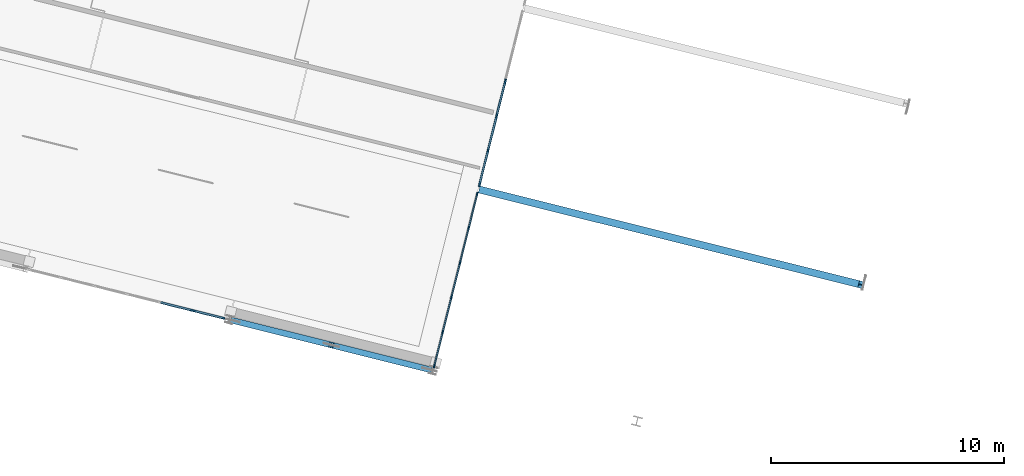
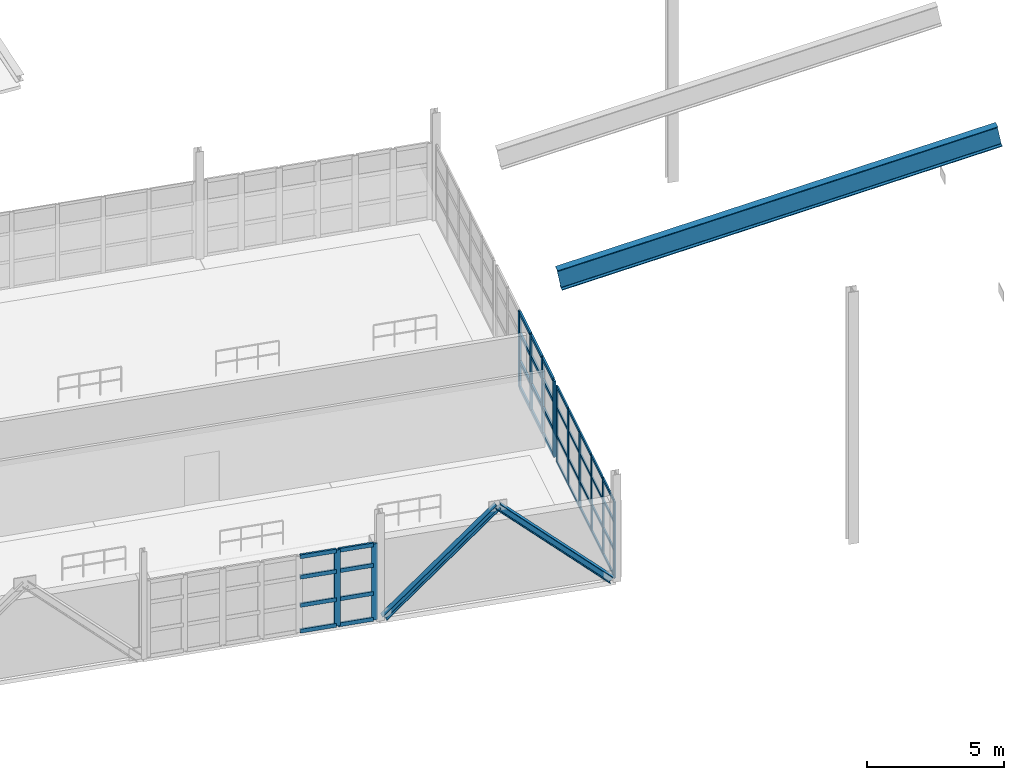
# One storey, part 16 of 59: 54 members, 1 beam, 3 elements without a shape of their own.
"""IFC4 building model written with IfcOpenShell, lengths in metres."""

from ifc_helpers import new_model, si_unit, direction, frame, origin, origin_2d, place, context, subcontext, project, spatial, rectangle, i_section, extrude, material, layer, layer_set, material_profile, profile_set, type_object, element, aggregate, save


model = new_model("IFC4")

# Units and contexts
model_context = context("Model", 3, precision=1e-05, world=origin(), true_north=direction((0.0, 1.0)))
body_context = subcontext(model_context, "Body", "Model", "MODEL_VIEW")
ifc_project = project(units=[si_unit("LENGTHUNIT", "METRE"), si_unit("AREAUNIT", "SQUARE_METRE"), si_unit("VOLUMEUNIT", "CUBIC_METRE"), si_unit("PLANEANGLEUNIT", "RADIAN"), si_unit("MASSUNIT", "GRAM", prefix="KILO")], contexts=[model_context])

# Site, building, storey
site_placement = place(None, origin())
site = spatial("IfcSite", under=ifc_project, at=site_placement, CompositionType="ELEMENT")
building_placement = place(site_placement, origin())
building = spatial("IfcBuilding", under=site, at=building_placement, Name="Vireo Bluff Cable Station", CompositionType="ELEMENT")
storey_placement = place(building_placement, frame((0.0, 0.0, 14.39990234375)))
storey = spatial("IfcBuildingStorey", under=building, at=storey_placement, Name="L03", CompositionType="ELEMENT", Elevation=14.39990234375)

# Members
ifc_material_1 = material(Name="Steel ASTM A992 Gr. 50", Category="steel")
ifc_material_profile_1 = material_profile(ifc_material_1, i_section(OverallWidth=0.2548828125, OverallDepth=0.256103515625, WebThickness=0.009521484375, FlangeThickness=0.015625, FilletRadius=0.009033203125, at=origin_2d()), Name="W10X54")
ifc_profile_set_1 = profile_set([ifc_material_profile_1], Name="Steel ASTM A992 Gr. 50")
member_type_1 = type_object("IfcMemberType", Name="BRC-02", PredefinedType="BRACE", material=ifc_profile_set_1)
member_1_placement = place(storey_placement, frame((97.818603515625, 27.07470703125, 0.0400390625), z_axis=(0.702068522127, -0.175028678406, 0.69026426242), x_axis=(0.241900212683, 0.970301132177, 0.0)))
element("IfcMember", 1, at=member_1_placement, inside=storey, type_object=member_type_1, Name="V1 L03 concentric brace 19L", PredefinedType="BRACE", context=body_context, shape_type="SweptSolid", body=[
    extrude(i_section(OverallWidth=0.2548828125, OverallDepth=0.256103515625, WebThickness=0.009521484375, FlangeThickness=0.015625, FilletRadius=0.009033203125, at=origin_2d()), origin(), (0.0, 0.0, 1.0), 5.997802734375),
])
ifc_material_profile_2 = material_profile(ifc_material_1, i_section(OverallWidth=0.257080078125, OverallDepth=0.263916015625, WebThickness=0.011962890625, FlangeThickness=0.01953125, FilletRadius=0.009033203125, at=origin_2d()), Name="W10X68")
ifc_profile_set_2 = profile_set([ifc_material_profile_2], Name="Steel ASTM A992 Gr. 50")
member_type_2 = type_object("IfcMemberType", Name="BRC-03", PredefinedType="BRACE", material=ifc_profile_set_2)
member_2_placement = place(storey_placement, frame((106.24072265625, 24.974853515625, 0.0400390625), z_axis=(-0.70208416018, 0.175063132526, 0.690239619012), x_axis=(-0.241939969626, -0.970291219736, 0.0)))
element("IfcMember", 2, at=member_2_placement, inside=storey, type_object=member_type_2, Name="V1 L03 concentric brace 20R", PredefinedType="BRACE", context=body_context, shape_type="SweptSolid", body=[
    extrude(i_section(OverallWidth=0.257080078125, OverallDepth=0.263916015625, WebThickness=0.011962890625, FlangeThickness=0.01953125, FilletRadius=0.009033203125, at=origin_2d()), origin(), (0.0, 0.0, 1.0), 5.998046875),
])

# Curtain wall, members
ifc_material_2 = material(Name="Anodized Aluminium 6063-T6", Category="aluminium")
ifc_layer_1 = layer(ifc_material_2, 0.179931640625, Name="Anodized Aluminium 6063-T6")
ifc_layer_set_1 = layer_set([ifc_layer_1], Name="Anodized Aluminium 6063-T6")
curtain_wall_type_1 = type_object("IfcCurtainWallType", Name="CW-UNIT-1650", PredefinedType="USERDEFINED", material=ifc_layer_set_1)
curtain_wall_1_placement = place(storey_placement, origin())
curtain_wall_1 = element("IfcCurtainWall", 3, at=curtain_wall_1_placement, inside=storey, type_object=curtain_wall_type_1, Name="V1 L03 east curtain wall CW-029", ObjectType="UNITISED CURTAIN WALL", PredefinedType="USERDEFINED")
ifc_material_profile_3 = material_profile(ifc_material_2, rectangle(XDim=0.074951171875, YDim=0.2099609375, at=origin_2d()), Name="ALU-M-75X210")
ifc_profile_set_3 = profile_set([ifc_material_profile_3], Name="Anodized Aluminium 6063-T6")
member_type_3 = type_object("IfcMemberType", Name="CWM-02", PredefinedType="MULLION", material=ifc_profile_set_3)
member_3_placement = place(storey_placement, frame((109.483642578125, 37.32080078125, 0.0), z_axis=(0.0, 0.0, 1.0), x_axis=(0.970295712549, -0.241921950655, 0.0)))
member_3 = element("IfcMember", 4, at=member_3_placement, type_object=member_type_3, Name="CW-029 mullion 3", PredefinedType="MULLION", context=body_context, shape_type="SweptSolid", body=[
    extrude(rectangle(XDim=0.074951171875, YDim=0.2099609375, at=origin_2d()), origin(), (0.0, 0.0, 1.0), 3.400146484375),
])
member_4_placement = place(storey_placement, frame((109.1142578125, 35.8388671875, 0.0), z_axis=(0.0, 0.0, 1.0), x_axis=(0.970295712549, -0.241921950655, 0.0)))
member_4 = element("IfcMember", 5, at=member_4_placement, type_object=member_type_3, Name="CW-029 mullion 4", PredefinedType="MULLION", context=body_context, shape_type="SweptSolid", body=[
    extrude(rectangle(XDim=0.074951171875, YDim=0.2099609375, at=origin_2d()), origin(), (0.0, 0.0, 1.0), 3.400146484375),
])
member_5_placement = place(storey_placement, frame((108.744873046875, 34.35693359375, 0.0), z_axis=(0.0, 0.0, 1.0), x_axis=(0.970295712549, -0.241921950655, 0.0)))
member_5 = element("IfcMember", 6, at=member_5_placement, type_object=member_type_3, Name="CW-029 mullion 5", PredefinedType="MULLION", context=body_context, shape_type="SweptSolid", body=[
    extrude(rectangle(XDim=0.074951171875, YDim=0.2099609375, at=origin_2d()), origin(), (0.0, 0.0, 1.0), 3.400146484375),
])
member_6_placement = place(storey_placement, frame((108.384521484375, 32.91162109375, 0.0), z_axis=(0.0, 0.0, 1.0), x_axis=(0.970295712549, -0.241921950655, 0.0)))
member_6 = element("IfcMember", 7, at=member_6_placement, type_object=member_type_3, Name="CW-029 mullion 6", PredefinedType="MULLION", context=body_context, shape_type="SweptSolid", body=[
    extrude(rectangle(XDim=0.074951171875, YDim=0.2099609375, at=origin_2d()), origin(), (0.0, 0.0, 1.0), 3.400146484375),
])

ifc_layer_2 = layer(ifc_material_2, 0.179931640625, Name="Anodized Aluminium 6063-T6")
ifc_layer_set_2 = layer_set([ifc_layer_2], Name="Anodized Aluminium 6063-T6")
curtain_wall_type_2 = type_object("IfcCurtainWallType", Name="CW-UNIT-1400", PredefinedType="USERDEFINED", material=ifc_layer_set_2)
curtain_wall_2_placement = place(storey_placement, origin())
curtain_wall_2 = element("IfcCurtainWall", 8, at=curtain_wall_2_placement, inside=storey, type_object=curtain_wall_type_2, Name="V1 L03 east curtain wall CW-030", ObjectType="UNITISED CURTAIN WALL", PredefinedType="USERDEFINED")
ifc_material_profile_4 = material_profile(ifc_material_2, rectangle(XDim=0.06005859375, YDim=0.159912109375, at=origin_2d()), Name="ALU-M-60X160")
ifc_profile_set_4 = profile_set([ifc_material_profile_4], Name="Anodized Aluminium 6063-T6")
member_type_4 = type_object("IfcMemberType", Name="CWM-03", PredefinedType="MULLION", material=ifc_profile_set_4)
member_7_placement = place(storey_placement, frame((108.280029296875, 32.492919921875, 0.0), z_axis=(0.0, 0.0, 1.0), x_axis=(0.97029572267, -0.241921910062, 0.0)))
member_7 = element("IfcMember", 9, at=member_7_placement, type_object=member_type_4, Name="CW-030 mullion 1", PredefinedType="MULLION", context=body_context, shape_type="SweptSolid", body=[
    extrude(rectangle(XDim=0.06005859375, YDim=0.159912109375, at=origin_2d()), origin(), (0.0, 0.0, 1.0), 3.400146484375),
])
member_8_placement = place(storey_placement, frame((107.916748046875, 31.035888671875, 0.0), z_axis=(0.0, 0.0, 1.0), x_axis=(0.97029572267, -0.241921910062, 0.0)))
member_8 = element("IfcMember", 10, at=member_8_placement, type_object=member_type_4, Name="CW-030 mullion 2", PredefinedType="MULLION", context=body_context, shape_type="SweptSolid", body=[
    extrude(rectangle(XDim=0.06005859375, YDim=0.159912109375, at=origin_2d()), origin(), (0.0, 0.0, 1.0), 3.400146484375),
])
member_9_placement = place(storey_placement, frame((107.546142578125, 29.549560546875, 0.0), z_axis=(0.0, 0.0, 1.0), x_axis=(0.97029572267, -0.241921910062, 0.0)))
member_9 = element("IfcMember", 11, at=member_9_placement, type_object=member_type_4, Name="CW-030 mullion 3", PredefinedType="MULLION", context=body_context, shape_type="SweptSolid", body=[
    extrude(rectangle(XDim=0.06005859375, YDim=0.159912109375, at=origin_2d()), origin(), (0.0, 0.0, 1.0), 3.400146484375),
])
member_10_placement = place(storey_placement, frame((107.17578125, 28.0634765625, 0.0), z_axis=(0.0, 0.0, 1.0), x_axis=(0.97029572267, -0.241921910062, 0.0)))
member_10 = element("IfcMember", 12, at=member_10_placement, type_object=member_type_4, Name="CW-030 mullion 4", PredefinedType="MULLION", context=body_context, shape_type="SweptSolid", body=[
    extrude(rectangle(XDim=0.06005859375, YDim=0.159912109375, at=origin_2d()), origin(), (0.0, 0.0, 1.0), 3.400146484375),
])
member_11_placement = place(storey_placement, frame((106.80517578125, 26.5771484375, 0.0), z_axis=(0.0, 0.0, 1.0), x_axis=(0.97029572267, -0.241921910062, 0.0)))
member_11 = element("IfcMember", 13, at=member_11_placement, type_object=member_type_4, Name="CW-030 mullion 5", PredefinedType="MULLION", context=body_context, shape_type="SweptSolid", body=[
    extrude(rectangle(XDim=0.06005859375, YDim=0.159912109375, at=origin_2d()), origin(), (0.0, 0.0, 1.0), 3.400146484375),
])
member_12_placement = place(storey_placement, frame((106.44189453125, 25.1201171875, 0.0), z_axis=(0.0, 0.0, 1.0), x_axis=(0.97029572267, -0.241921910062, 0.0)))
member_12 = element("IfcMember", 14, at=member_12_placement, type_object=member_type_4, Name="CW-030 mullion 6", PredefinedType="MULLION", context=body_context, shape_type="SweptSolid", body=[
    extrude(rectangle(XDim=0.06005859375, YDim=0.159912109375, at=origin_2d()), origin(), (0.0, 0.0, 1.0), 3.400146484375),
])

ifc_layer_3 = layer(ifc_material_2, 0.179931640625, Name="Anodized Aluminium 6063-T6")
ifc_layer_set_3 = layer_set([ifc_layer_3], Name="Anodized Aluminium 6063-T6")
curtain_wall_type_3 = type_object("IfcCurtainWallType", Name="CW-UNIT-1500", PredefinedType="USERDEFINED", material=ifc_layer_set_3)
curtain_wall_3_placement = place(storey_placement, origin())
curtain_wall_3 = element("IfcCurtainWall", 15, at=curtain_wall_3_placement, inside=storey, type_object=curtain_wall_type_3, Name="V1 L03 south curtain wall CW-019", ObjectType="UNITISED CURTAIN WALL", PredefinedType="USERDEFINED")
ifc_material_profile_5 = material_profile(ifc_material_2, rectangle(XDim=0.080078125, YDim=0.239990234375, at=origin_2d()), Name="ALU-M-80X240")
ifc_profile_set_5 = profile_set([ifc_material_profile_5], Name="Anodized Aluminium 6063-T6")
member_type_5 = type_object("IfcMemberType", Name="CWM-04", PredefinedType="MULLION", material=ifc_profile_set_5)
member_13_placement = place(storey_placement, frame((97.4736328125, 27.160888671875, 0.0), z_axis=(0.0, 0.0, 1.0), x_axis=(-0.241921854719, -0.970295736469, 0.0)))
member_13 = element("IfcMember", 16, at=member_13_placement, type_object=member_type_5, Name="CW-019 mullion 1", PredefinedType="MULLION", context=body_context, shape_type="SweptSolid", body=[
    extrude(rectangle(XDim=0.080078125, YDim=0.239990234375, at=origin_2d()), origin(), (0.0, 0.0, 1.0), 3.400146484375),
])
member_14_placement = place(storey_placement, frame((96.098876953125, 27.503662109375, 0.0), z_axis=(0.0, 0.0, 1.0), x_axis=(-0.241921854719, -0.970295736469, 0.0)))
member_14 = element("IfcMember", 17, at=member_14_placement, type_object=member_type_5, Name="CW-019 mullion 2", PredefinedType="MULLION", context=body_context, shape_type="SweptSolid", body=[
    extrude(rectangle(XDim=0.080078125, YDim=0.239990234375, at=origin_2d()), origin(), (0.0, 0.0, 1.0), 3.400146484375),
])

# Member
ifc_material_profile_6 = material_profile(ifc_material_2, rectangle(XDim=0.074951171875, YDim=0.159912109375, at=origin_2d()), Name="ALU-T-75X160")
ifc_profile_set_6 = profile_set([ifc_material_profile_6], Name="Anodized Aluminium 6063-T6")
member_type_6 = type_object("IfcMemberType", Name="CWT-02", PredefinedType="USERDEFINED", material=ifc_profile_set_6)
member_15_placement = place(storey_placement, frame((109.474609375, 37.2841796875, 0.03759765625), z_axis=(-0.241942172057, -0.970290670562, 0.0), x_axis=(0.970290670562, -0.241942172057, 0.0)))
member_15 = element("IfcMember", 18, at=member_15_placement, type_object=member_type_6, Name="CW-029 transom 3.1", ObjectType="TRANSOM", PredefinedType="USERDEFINED", context=body_context, shape_type="SweptSolid", body=[
    extrude(rectangle(XDim=0.074951171875, YDim=0.159912109375, at=origin_2d()), origin(), (0.0, 0.0, 1.0), 1.4521484375),
])

member_16_placement = place(storey_placement, frame((109.474609375, 37.2841796875, 1.190185546875), z_axis=(-0.241942172057, -0.970290670562, 0.0), x_axis=(0.970290670562, -0.241942172057, 0.0)))
member_16 = element("IfcMember", 19, at=member_16_placement, type_object=member_type_6, Name="CW-029 transom 3.2", ObjectType="TRANSOM", PredefinedType="USERDEFINED", context=body_context, shape_type="SweptSolid", body=[
    extrude(rectangle(XDim=0.074951171875, YDim=0.159912109375, at=origin_2d()), origin(), (0.0, 0.0, 1.0), 1.4521484375),
])

member_17_placement = place(storey_placement, frame((109.474609375, 37.2841796875, 2.447998046875), z_axis=(-0.241942172057, -0.970290670562, 0.0), x_axis=(0.970290670562, -0.241942172057, 0.0)))
member_17 = element("IfcMember", 20, at=member_17_placement, type_object=member_type_6, Name="CW-029 transom 3.3", ObjectType="TRANSOM", PredefinedType="USERDEFINED", context=body_context, shape_type="SweptSolid", body=[
    extrude(rectangle(XDim=0.074951171875, YDim=0.159912109375, at=origin_2d()), origin(), (0.0, 0.0, 1.0), 1.4521484375),
])

member_18_placement = place(storey_placement, frame((109.474609375, 37.2841796875, 3.362548828125), z_axis=(-0.241942172057, -0.970290670562, 0.0), x_axis=(0.970290670562, -0.241942172057, 0.0)))
member_18 = element("IfcMember", 21, at=member_18_placement, type_object=member_type_6, Name="CW-029 transom 3.4", ObjectType="TRANSOM", PredefinedType="USERDEFINED", context=body_context, shape_type="SweptSolid", body=[
    extrude(rectangle(XDim=0.074951171875, YDim=0.159912109375, at=origin_2d()), origin(), (0.0, 0.0, 1.0), 1.4521484375),
])

member_19_placement = place(storey_placement, frame((109.105224609375, 35.802490234375, 0.03759765625), z_axis=(-0.241902708559, -0.970300509941, 0.0), x_axis=(0.970300509941, -0.241902708559, 0.0)))
member_19 = element("IfcMember", 22, at=member_19_placement, type_object=member_type_6, Name="CW-029 transom 4.1", ObjectType="TRANSOM", PredefinedType="USERDEFINED", context=body_context, shape_type="SweptSolid", body=[
    extrude(rectangle(XDim=0.074951171875, YDim=0.159912109375, at=origin_2d()), origin(), (0.0, 0.0, 1.0), 1.452392578125),
])

member_20_placement = place(storey_placement, frame((109.105224609375, 35.802490234375, 1.190185546875), z_axis=(-0.241902708559, -0.970300509941, 0.0), x_axis=(0.970300509941, -0.241902708559, 0.0)))
member_20 = element("IfcMember", 23, at=member_20_placement, type_object=member_type_6, Name="CW-029 transom 4.2", ObjectType="TRANSOM", PredefinedType="USERDEFINED", context=body_context, shape_type="SweptSolid", body=[
    extrude(rectangle(XDim=0.074951171875, YDim=0.159912109375, at=origin_2d()), origin(), (0.0, 0.0, 1.0), 1.452392578125),
])

member_21_placement = place(storey_placement, frame((109.105224609375, 35.802490234375, 2.447998046875), z_axis=(-0.241902708559, -0.970300509941, 0.0), x_axis=(0.970300509941, -0.241902708559, 0.0)))
member_21 = element("IfcMember", 24, at=member_21_placement, type_object=member_type_6, Name="CW-029 transom 4.3", ObjectType="TRANSOM", PredefinedType="USERDEFINED", context=body_context, shape_type="SweptSolid", body=[
    extrude(rectangle(XDim=0.074951171875, YDim=0.159912109375, at=origin_2d()), origin(), (0.0, 0.0, 1.0), 1.452392578125),
])

member_22_placement = place(storey_placement, frame((109.105224609375, 35.802490234375, 3.362548828125), z_axis=(-0.241902708559, -0.970300509941, 0.0), x_axis=(0.970300509941, -0.241902708559, 0.0)))
member_22 = element("IfcMember", 25, at=member_22_placement, type_object=member_type_6, Name="CW-029 transom 4.4", ObjectType="TRANSOM", PredefinedType="USERDEFINED", context=body_context, shape_type="SweptSolid", body=[
    extrude(rectangle(XDim=0.074951171875, YDim=0.159912109375, at=origin_2d()), origin(), (0.0, 0.0, 1.0), 1.452392578125),
])

member_23_placement = place(storey_placement, frame((108.73583984375, 34.320556640625, 0.03759765625), z_axis=(-0.241967061303, -0.970284464085, 0.0), x_axis=(0.970284464085, -0.241967061303, 0.0)))
member_23 = element("IfcMember", 26, at=member_23_placement, type_object=member_type_6, Name="CW-029 transom 5.1", ObjectType="TRANSOM", PredefinedType="USERDEFINED", context=body_context, shape_type="SweptSolid", body=[
    extrude(rectangle(XDim=0.074951171875, YDim=0.159912109375, at=origin_2d()), origin(), (0.0, 0.0, 1.0), 1.41455078125),
])

member_24_placement = place(storey_placement, frame((108.73583984375, 34.320556640625, 1.190185546875), z_axis=(-0.241967061303, -0.970284464085, 0.0), x_axis=(0.970284464085, -0.241967061303, 0.0)))
member_24 = element("IfcMember", 27, at=member_24_placement, type_object=member_type_6, Name="CW-029 transom 5.2", ObjectType="TRANSOM", PredefinedType="USERDEFINED", context=body_context, shape_type="SweptSolid", body=[
    extrude(rectangle(XDim=0.074951171875, YDim=0.159912109375, at=origin_2d()), origin(), (0.0, 0.0, 1.0), 1.41455078125),
])

member_25_placement = place(storey_placement, frame((108.73583984375, 34.320556640625, 2.447998046875), z_axis=(-0.241967061303, -0.970284464085, 0.0), x_axis=(0.970284464085, -0.241967061303, 0.0)))
member_25 = element("IfcMember", 28, at=member_25_placement, type_object=member_type_6, Name="CW-029 transom 5.3", ObjectType="TRANSOM", PredefinedType="USERDEFINED", context=body_context, shape_type="SweptSolid", body=[
    extrude(rectangle(XDim=0.074951171875, YDim=0.159912109375, at=origin_2d()), origin(), (0.0, 0.0, 1.0), 1.41455078125),
])

member_26_placement = place(storey_placement, frame((108.73583984375, 34.320556640625, 3.362548828125), z_axis=(-0.241967061303, -0.970284464085, 0.0), x_axis=(0.970284464085, -0.241967061303, 0.0)))
member_26 = element("IfcMember", 29, at=member_26_placement, type_object=member_type_6, Name="CW-029 transom 5.4", ObjectType="TRANSOM", PredefinedType="USERDEFINED", context=body_context, shape_type="SweptSolid", body=[
    extrude(rectangle(XDim=0.074951171875, YDim=0.159912109375, at=origin_2d()), origin(), (0.0, 0.0, 1.0), 1.41455078125),
])

aggregate(curtain_wall_1, [member_3, member_4, member_5, member_6, member_15, member_16, member_17, member_18, member_19, member_20, member_21, member_22, member_23, member_24, member_25, member_26])

ifc_material_profile_7 = material_profile(ifc_material_2, rectangle(XDim=0.06005859375, YDim=0.1201171875, at=origin_2d()), Name="ALU-T-60X120")
ifc_profile_set_7 = profile_set([ifc_material_profile_7], Name="Anodized Aluminium 6063-T6")
member_type_7 = type_object("IfcMemberType", Name="CWT-03", PredefinedType="USERDEFINED", material=ifc_profile_set_7)
member_27_placement = place(storey_placement, frame((108.272705078125, 32.4638671875, 0.030029296875), z_axis=(-0.241818351587, -0.97032153683, 0.0), x_axis=(0.97032153683, -0.241818351587, 0.0)))
member_27 = element("IfcMember", 30, at=member_27_placement, type_object=member_type_7, Name="CW-030 transom 1.1", ObjectType="TRANSOM", PredefinedType="USERDEFINED", context=body_context, shape_type="SweptSolid", body=[
    extrude(rectangle(XDim=0.06005859375, YDim=0.1201171875, at=origin_2d()), origin(), (0.0, 0.0, 1.0), 1.441650390625),
])

member_28_placement = place(storey_placement, frame((108.272705078125, 32.4638671875, 1.190185546875), z_axis=(-0.241818351587, -0.97032153683, 0.0), x_axis=(0.97032153683, -0.241818351587, 0.0)))
member_28 = element("IfcMember", 31, at=member_28_placement, type_object=member_type_7, Name="CW-030 transom 1.2", ObjectType="TRANSOM", PredefinedType="USERDEFINED", context=body_context, shape_type="SweptSolid", body=[
    extrude(rectangle(XDim=0.06005859375, YDim=0.1201171875, at=origin_2d()), origin(), (0.0, 0.0, 1.0), 1.441650390625),
])

member_29_placement = place(storey_placement, frame((108.272705078125, 32.4638671875, 2.447998046875), z_axis=(-0.241818351587, -0.97032153683, 0.0), x_axis=(0.97032153683, -0.241818351587, 0.0)))
member_29 = element("IfcMember", 32, at=member_29_placement, type_object=member_type_7, Name="CW-030 transom 1.3", ObjectType="TRANSOM", PredefinedType="USERDEFINED", context=body_context, shape_type="SweptSolid", body=[
    extrude(rectangle(XDim=0.06005859375, YDim=0.1201171875, at=origin_2d()), origin(), (0.0, 0.0, 1.0), 1.441650390625),
])

member_30_placement = place(storey_placement, frame((108.272705078125, 32.4638671875, 3.3701171875), z_axis=(-0.241818351587, -0.97032153683, 0.0), x_axis=(0.97032153683, -0.241818351587, 0.0)))
member_30 = element("IfcMember", 33, at=member_30_placement, type_object=member_type_7, Name="CW-030 transom 1.4", ObjectType="TRANSOM", PredefinedType="USERDEFINED", context=body_context, shape_type="SweptSolid", body=[
    extrude(rectangle(XDim=0.06005859375, YDim=0.1201171875, at=origin_2d()), origin(), (0.0, 0.0, 1.0), 1.441650390625),
])

member_31_placement = place(storey_placement, frame((107.909423828125, 31.006591796875, 0.030029296875), z_axis=(-0.241871996295, -0.970308166207, 0.0), x_axis=(0.970308166207, -0.241871996295, 0.0)))
member_31 = element("IfcMember", 34, at=member_31_placement, type_object=member_type_7, Name="CW-030 transom 2.1", ObjectType="TRANSOM", PredefinedType="USERDEFINED", context=body_context, shape_type="SweptSolid", body=[
    extrude(rectangle(XDim=0.06005859375, YDim=0.1201171875, at=origin_2d()), origin(), (0.0, 0.0, 1.0), 1.4716796875),
])

member_32_placement = place(storey_placement, frame((107.909423828125, 31.006591796875, 1.190185546875), z_axis=(-0.241871996295, -0.970308166207, 0.0), x_axis=(0.970308166207, -0.241871996295, 0.0)))
member_32 = element("IfcMember", 35, at=member_32_placement, type_object=member_type_7, Name="CW-030 transom 2.2", ObjectType="TRANSOM", PredefinedType="USERDEFINED", context=body_context, shape_type="SweptSolid", body=[
    extrude(rectangle(XDim=0.06005859375, YDim=0.1201171875, at=origin_2d()), origin(), (0.0, 0.0, 1.0), 1.4716796875),
])

member_33_placement = place(storey_placement, frame((107.909423828125, 31.006591796875, 2.447998046875), z_axis=(-0.241871996295, -0.970308166207, 0.0), x_axis=(0.970308166207, -0.241871996295, 0.0)))
member_33 = element("IfcMember", 36, at=member_33_placement, type_object=member_type_7, Name="CW-030 transom 2.3", ObjectType="TRANSOM", PredefinedType="USERDEFINED", context=body_context, shape_type="SweptSolid", body=[
    extrude(rectangle(XDim=0.06005859375, YDim=0.1201171875, at=origin_2d()), origin(), (0.0, 0.0, 1.0), 1.4716796875),
])

member_34_placement = place(storey_placement, frame((107.909423828125, 31.006591796875, 3.3701171875), z_axis=(-0.241871996295, -0.970308166207, 0.0), x_axis=(0.970308166207, -0.241871996295, 0.0)))
member_34 = element("IfcMember", 37, at=member_34_placement, type_object=member_type_7, Name="CW-030 transom 2.4", ObjectType="TRANSOM", PredefinedType="USERDEFINED", context=body_context, shape_type="SweptSolid", body=[
    extrude(rectangle(XDim=0.06005859375, YDim=0.1201171875, at=origin_2d()), origin(), (0.0, 0.0, 1.0), 1.4716796875),
])

member_35_placement = place(storey_placement, frame((107.5390625, 29.5205078125, 0.030029296875), z_axis=(-0.242028174812, -0.97026922171, 0.0), x_axis=(0.97026922171, -0.242028174812, 0.0)))
member_35 = element("IfcMember", 38, at=member_35_placement, type_object=member_type_7, Name="CW-030 transom 3.1", ObjectType="TRANSOM", PredefinedType="USERDEFINED", context=body_context, shape_type="SweptSolid", body=[
    extrude(rectangle(XDim=0.06005859375, YDim=0.1201171875, at=origin_2d()), origin(), (0.0, 0.0, 1.0), 1.4716796875),
])

member_36_placement = place(storey_placement, frame((107.5390625, 29.5205078125, 1.190185546875), z_axis=(-0.242028174812, -0.97026922171, 0.0), x_axis=(0.97026922171, -0.242028174812, 0.0)))
member_36 = element("IfcMember", 39, at=member_36_placement, type_object=member_type_7, Name="CW-030 transom 3.2", ObjectType="TRANSOM", PredefinedType="USERDEFINED", context=body_context, shape_type="SweptSolid", body=[
    extrude(rectangle(XDim=0.06005859375, YDim=0.1201171875, at=origin_2d()), origin(), (0.0, 0.0, 1.0), 1.4716796875),
])

member_37_placement = place(storey_placement, frame((107.5390625, 29.5205078125, 2.447998046875), z_axis=(-0.242028174812, -0.97026922171, 0.0), x_axis=(0.97026922171, -0.242028174812, 0.0)))
member_37 = element("IfcMember", 40, at=member_37_placement, type_object=member_type_7, Name="CW-030 transom 3.3", ObjectType="TRANSOM", PredefinedType="USERDEFINED", context=body_context, shape_type="SweptSolid", body=[
    extrude(rectangle(XDim=0.06005859375, YDim=0.1201171875, at=origin_2d()), origin(), (0.0, 0.0, 1.0), 1.4716796875),
])

member_38_placement = place(storey_placement, frame((107.5390625, 29.5205078125, 3.3701171875), z_axis=(-0.242028174812, -0.97026922171, 0.0), x_axis=(0.97026922171, -0.242028174812, 0.0)))
member_38 = element("IfcMember", 41, at=member_38_placement, type_object=member_type_7, Name="CW-030 transom 3.4", ObjectType="TRANSOM", PredefinedType="USERDEFINED", context=body_context, shape_type="SweptSolid", body=[
    extrude(rectangle(XDim=0.06005859375, YDim=0.1201171875, at=origin_2d()), origin(), (0.0, 0.0, 1.0), 1.4716796875),
])

member_39_placement = place(storey_placement, frame((107.16845703125, 28.0341796875, 0.030029296875), z_axis=(-0.242028174812, -0.97026922171, 0.0), x_axis=(0.97026922171, -0.242028174812, 0.0)))
member_39 = element("IfcMember", 42, at=member_39_placement, type_object=member_type_7, Name="CW-030 transom 4.1", ObjectType="TRANSOM", PredefinedType="USERDEFINED", context=body_context, shape_type="SweptSolid", body=[
    extrude(rectangle(XDim=0.06005859375, YDim=0.1201171875, at=origin_2d()), origin(), (0.0, 0.0, 1.0), 1.4716796875),
])

member_40_placement = place(storey_placement, frame((107.16845703125, 28.0341796875, 1.190185546875), z_axis=(-0.242028174812, -0.97026922171, 0.0), x_axis=(0.97026922171, -0.242028174812, 0.0)))
member_40 = element("IfcMember", 43, at=member_40_placement, type_object=member_type_7, Name="CW-030 transom 4.2", ObjectType="TRANSOM", PredefinedType="USERDEFINED", context=body_context, shape_type="SweptSolid", body=[
    extrude(rectangle(XDim=0.06005859375, YDim=0.1201171875, at=origin_2d()), origin(), (0.0, 0.0, 1.0), 1.4716796875),
])

member_41_placement = place(storey_placement, frame((107.16845703125, 28.0341796875, 2.447998046875), z_axis=(-0.242028174812, -0.97026922171, 0.0), x_axis=(0.97026922171, -0.242028174812, 0.0)))
member_41 = element("IfcMember", 44, at=member_41_placement, type_object=member_type_7, Name="CW-030 transom 4.3", ObjectType="TRANSOM", PredefinedType="USERDEFINED", context=body_context, shape_type="SweptSolid", body=[
    extrude(rectangle(XDim=0.06005859375, YDim=0.1201171875, at=origin_2d()), origin(), (0.0, 0.0, 1.0), 1.4716796875),
])

member_42_placement = place(storey_placement, frame((107.16845703125, 28.0341796875, 3.3701171875), z_axis=(-0.242028174812, -0.97026922171, 0.0), x_axis=(0.97026922171, -0.242028174812, 0.0)))
member_42 = element("IfcMember", 45, at=member_42_placement, type_object=member_type_7, Name="CW-030 transom 4.4", ObjectType="TRANSOM", PredefinedType="USERDEFINED", context=body_context, shape_type="SweptSolid", body=[
    extrude(rectangle(XDim=0.06005859375, YDim=0.1201171875, at=origin_2d()), origin(), (0.0, 0.0, 1.0), 1.4716796875),
])

member_43_placement = place(storey_placement, frame((106.7978515625, 26.548095703125, 0.030029296875), z_axis=(-0.241977779995, -0.970281791022, 0.0), x_axis=(0.970281791022, -0.241977779995, 0.0)))
member_43 = element("IfcMember", 46, at=member_43_placement, type_object=member_type_7, Name="CW-030 transom 5.1", ObjectType="TRANSOM", PredefinedType="USERDEFINED", context=body_context, shape_type="SweptSolid", body=[
    extrude(rectangle(XDim=0.06005859375, YDim=0.1201171875, at=origin_2d()), origin(), (0.0, 0.0, 1.0), 1.44189453125),
])

member_44_placement = place(storey_placement, frame((106.7978515625, 26.548095703125, 1.190185546875), z_axis=(-0.241977779995, -0.970281791022, 0.0), x_axis=(0.970281791022, -0.241977779995, 0.0)))
member_44 = element("IfcMember", 47, at=member_44_placement, type_object=member_type_7, Name="CW-030 transom 5.2", ObjectType="TRANSOM", PredefinedType="USERDEFINED", context=body_context, shape_type="SweptSolid", body=[
    extrude(rectangle(XDim=0.06005859375, YDim=0.1201171875, at=origin_2d()), origin(), (0.0, 0.0, 1.0), 1.44189453125),
])

member_45_placement = place(storey_placement, frame((106.7978515625, 26.548095703125, 2.447998046875), z_axis=(-0.241977779995, -0.970281791022, 0.0), x_axis=(0.970281791022, -0.241977779995, 0.0)))
member_45 = element("IfcMember", 48, at=member_45_placement, type_object=member_type_7, Name="CW-030 transom 5.3", ObjectType="TRANSOM", PredefinedType="USERDEFINED", context=body_context, shape_type="SweptSolid", body=[
    extrude(rectangle(XDim=0.06005859375, YDim=0.1201171875, at=origin_2d()), origin(), (0.0, 0.0, 1.0), 1.44189453125),
])

member_46_placement = place(storey_placement, frame((106.7978515625, 26.548095703125, 3.3701171875), z_axis=(-0.241977779995, -0.970281791022, 0.0), x_axis=(0.970281791022, -0.241977779995, 0.0)))
member_46 = element("IfcMember", 49, at=member_46_placement, type_object=member_type_7, Name="CW-030 transom 5.4", ObjectType="TRANSOM", PredefinedType="USERDEFINED", context=body_context, shape_type="SweptSolid", body=[
    extrude(rectangle(XDim=0.06005859375, YDim=0.1201171875, at=origin_2d()), origin(), (0.0, 0.0, 1.0), 1.44189453125),
])

aggregate(curtain_wall_2, [member_7, member_8, member_9, member_10, member_11, member_12, member_27, member_28, member_29, member_30, member_31, member_32, member_33, member_34, member_35, member_36, member_37, member_38, member_39, member_40, member_41, member_42, member_43, member_44, member_45, member_46])

ifc_material_profile_8 = material_profile(ifc_material_2, rectangle(XDim=0.080078125, YDim=0.175048828125, at=origin_2d()), Name="ALU-T-80X175")
ifc_profile_set_8 = profile_set([ifc_material_profile_8], Name="Anodized Aluminium 6063-T6")
member_type_8 = type_object("IfcMemberType", Name="CWT-04", PredefinedType="USERDEFINED", material=ifc_profile_set_8)
member_47_placement = place(storey_placement, frame((97.434814453125, 27.17041015625, 0.0400390625), z_axis=(-0.970281993063, 0.241976969849, 0.0), x_axis=(-0.241976969849, -0.970281993063, 0.0)))
member_47 = element("IfcMember", 50, at=member_47_placement, type_object=member_type_8, Name="CW-019 transom 1.1", ObjectType="TRANSOM", PredefinedType="USERDEFINED", context=body_context, shape_type="SweptSolid", body=[
    extrude(rectangle(XDim=0.080078125, YDim=0.175048828125, at=origin_2d()), origin(), (0.0, 0.0, 1.0), 1.3369140625),
])

member_48_placement = place(storey_placement, frame((97.434814453125, 27.17041015625, 1.190185546875), z_axis=(-0.970281993063, 0.241976969849, 0.0), x_axis=(-0.241976969849, -0.970281993063, 0.0)))
member_48 = element("IfcMember", 51, at=member_48_placement, type_object=member_type_8, Name="CW-019 transom 1.2", ObjectType="TRANSOM", PredefinedType="USERDEFINED", context=body_context, shape_type="SweptSolid", body=[
    extrude(rectangle(XDim=0.080078125, YDim=0.175048828125, at=origin_2d()), origin(), (0.0, 0.0, 1.0), 1.3369140625),
])

member_49_placement = place(storey_placement, frame((97.434814453125, 27.17041015625, 2.447998046875), z_axis=(-0.970281993063, 0.241976969849, 0.0), x_axis=(-0.241976969849, -0.970281993063, 0.0)))
member_49 = element("IfcMember", 52, at=member_49_placement, type_object=member_type_8, Name="CW-019 transom 1.3", ObjectType="TRANSOM", PredefinedType="USERDEFINED", context=body_context, shape_type="SweptSolid", body=[
    extrude(rectangle(XDim=0.080078125, YDim=0.175048828125, at=origin_2d()), origin(), (0.0, 0.0, 1.0), 1.3369140625),
])

member_50_placement = place(storey_placement, frame((97.434814453125, 27.17041015625, 3.360107421875), z_axis=(-0.970281993063, 0.241976969849, 0.0), x_axis=(-0.241976969849, -0.970281993063, 0.0)))
member_50 = element("IfcMember", 53, at=member_50_placement, type_object=member_type_8, Name="CW-019 transom 1.4", ObjectType="TRANSOM", PredefinedType="USERDEFINED", context=body_context, shape_type="SweptSolid", body=[
    extrude(rectangle(XDim=0.080078125, YDim=0.175048828125, at=origin_2d()), origin(), (0.0, 0.0, 1.0), 1.3369140625),
])

member_51_placement = place(storey_placement, frame((96.06005859375, 27.51318359375, 0.0400390625), z_axis=(-0.970298786234, 0.24190962245, 0.0), x_axis=(-0.24190962245, -0.970298786234, 0.0)))
member_51 = element("IfcMember", 54, at=member_51_placement, type_object=member_type_8, Name="CW-019 transom 2.1", ObjectType="TRANSOM", PredefinedType="USERDEFINED", context=body_context, shape_type="SweptSolid", body=[
    extrude(rectangle(XDim=0.080078125, YDim=0.175048828125, at=origin_2d()), origin(), (0.0, 0.0, 1.0), 1.37646484375),
])

member_52_placement = place(storey_placement, frame((96.06005859375, 27.51318359375, 1.190185546875), z_axis=(-0.970298786234, 0.24190962245, 0.0), x_axis=(-0.24190962245, -0.970298786234, 0.0)))
member_52 = element("IfcMember", 55, at=member_52_placement, type_object=member_type_8, Name="CW-019 transom 2.2", ObjectType="TRANSOM", PredefinedType="USERDEFINED", context=body_context, shape_type="SweptSolid", body=[
    extrude(rectangle(XDim=0.080078125, YDim=0.175048828125, at=origin_2d()), origin(), (0.0, 0.0, 1.0), 1.37646484375),
])

member_53_placement = place(storey_placement, frame((96.06005859375, 27.51318359375, 2.447998046875), z_axis=(-0.970298786234, 0.24190962245, 0.0), x_axis=(-0.24190962245, -0.970298786234, 0.0)))
member_53 = element("IfcMember", 56, at=member_53_placement, type_object=member_type_8, Name="CW-019 transom 2.3", ObjectType="TRANSOM", PredefinedType="USERDEFINED", context=body_context, shape_type="SweptSolid", body=[
    extrude(rectangle(XDim=0.080078125, YDim=0.175048828125, at=origin_2d()), origin(), (0.0, 0.0, 1.0), 1.37646484375),
])

member_54_placement = place(storey_placement, frame((96.06005859375, 27.51318359375, 3.360107421875), z_axis=(-0.970298786234, 0.24190962245, 0.0), x_axis=(-0.24190962245, -0.970298786234, 0.0)))
member_54 = element("IfcMember", 57, at=member_54_placement, type_object=member_type_8, Name="CW-019 transom 2.4", ObjectType="TRANSOM", PredefinedType="USERDEFINED", context=body_context, shape_type="SweptSolid", body=[
    extrude(rectangle(XDim=0.080078125, YDim=0.175048828125, at=origin_2d()), origin(), (0.0, 0.0, 1.0), 1.37646484375),
])

aggregate(curtain_wall_3, [member_13, member_14, member_47, member_48, member_49, member_50, member_51, member_52, member_53, member_54])

# Beam
ifc_material_profile_9 = material_profile(ifc_material_1, i_section(OverallWidth=0.306884765625, OverallDepth=0.927001953125, WebThickness=0.019287109375, FlangeThickness=0.031982421875, FilletRadius=0.02001953125, at=origin_2d()), Name="W36X194")
ifc_profile_set_9 = profile_set([ifc_material_profile_9], Name="Steel ASTM A992 Gr. 50")
beam_type = type_object("IfcBeamType", Name="EXTGIR-W36X194", PredefinedType="USERDEFINED", material=ifc_profile_set_9)
beam_placement = place(storey_placement, frame((108.44775390625, 32.66943359375, 8.050048828125), z_axis=(0.953082191635, -0.237619515936, 0.1875401334), x_axis=(0.241911770729, 0.970298250634, 0.0)))
element("IfcBeam", 58, at=beam_placement, inside=storey, type_object=beam_type, Name="Aerial cableway departure guideway girder 1", ObjectType="GIRDER", PredefinedType="USERDEFINED", context=body_context, shape_type="SweptSolid", body=[
    extrude(i_section(OverallWidth=0.306884765625, OverallDepth=0.927001953125, WebThickness=0.019287109375, FlangeThickness=0.031982421875, FilletRadius=0.02001953125, at=origin_2d()), origin(), (0.0, 0.0, 1.0), 17.062744140625),
])

save(model, "model.ifc")
